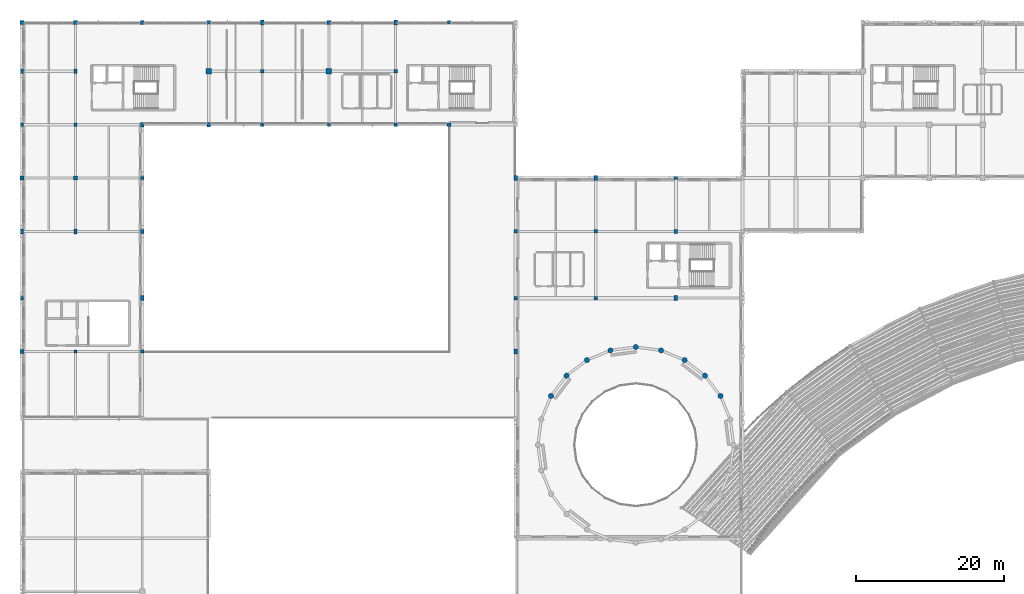
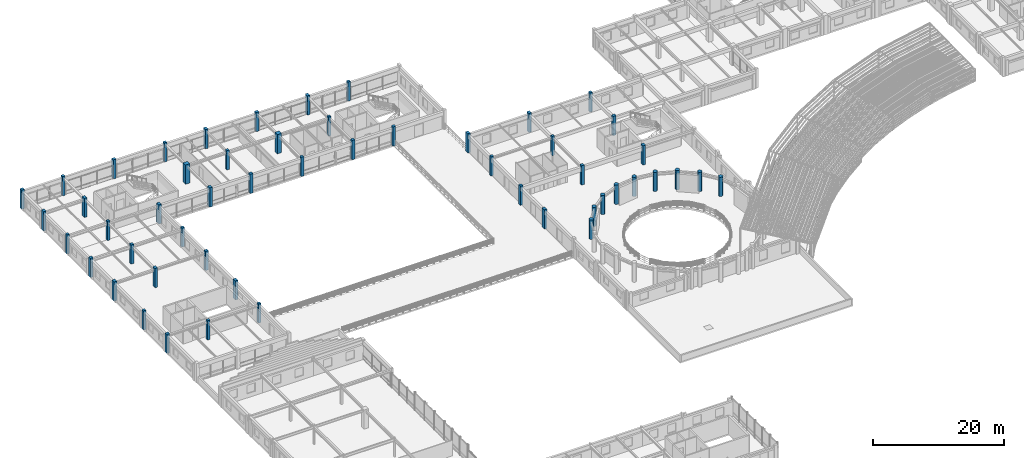
# One storey, part 9 of 74: 52 columns.
"""IFC4 building model written with IfcOpenShell, lengths in metres."""

from ifc_helpers import new_model, si_unit, direction, frame, origin, origin_2d, place, context, subcontext, project, spatial, rectangle, circle, extrude, material, material_profile, profile_set, type_object, element, save


model = new_model("IFC4")

# Units and contexts
model_context = context("Model", 3, precision=1e-05, world=origin(), true_north=direction((0.0, 1.0)))
body_context = subcontext(model_context, "Body", "Model", "MODEL_VIEW")
ifc_project = project(units=[si_unit("LENGTHUNIT", "METRE"), si_unit("AREAUNIT", "SQUARE_METRE"), si_unit("VOLUMEUNIT", "CUBIC_METRE"), si_unit("PLANEANGLEUNIT", "RADIAN"), si_unit("MASSUNIT", "GRAM", prefix="KILO")], contexts=[model_context])

# Site, building, storey
site_placement = place(None, origin())
site = spatial("IfcSite", under=ifc_project, at=site_placement, CompositionType="ELEMENT")
building_placement = place(site_placement, origin())
building = spatial("IfcBuilding", under=site, at=building_placement, Name="Clarverna Civic Hall", CompositionType="ELEMENT")
storey_placement = place(building_placement, frame((0.0, 0.0, 13.199951171875)))
storey = spatial("IfcBuildingStorey", under=building, at=storey_placement, Name="L03", CompositionType="ELEMENT", Elevation=13.199951171875)

# Columns
ifc_material_1 = material(Name="Concrete C35/45", Category="concrete")
ifc_material_profile_1 = material_profile(ifc_material_1, circle(Radius=0.35009765625, at=origin_2d()), Name="RC D700")
ifc_profile_set_1 = profile_set([ifc_material_profile_1], Name="Concrete C35/45")
column_type_1 = type_object("IfcColumnType", Name="C-DR3", PredefinedType="COLUMN", material=ifc_profile_set_1)
for number, where, z_axis, x_axis, name in (
    (1, (94.2314453125, 65.60009765625, 0.0), (0.0, 0.0, 1.0), (1.0, 0.0, 0.0), "C-DR3-003"),
    (2, (92.1337890625, 68.333740234375, 0.0), (0.0, 0.0, 1.0), (1.0, 0.0, 0.0), "C-DR3-004"),
    (3, (89.39990234375, 70.431396484375, 0.0), (0.0, 0.0, 1.0), (1.0, 0.0, 0.0), "C-DR3-005"),
    (4, (86.21630859375, 71.750244140625, 0.0), (0.0, 0.0, 1.0), (1.0, 0.0, 0.0), "C-DR3-006"),
    (5, (82.800048828125, 72.199951171875, 0.0), (0.0, 0.0, 1.0), (1.0, 0.0, 0.0), "C-DR3-007"),
    (6, (79.383544921875, 71.750244140625, 0.0), (0.0, 0.0, 1.0), (1.0, 0.0, 0.0), "C-DR3-008"),
    (7, (76.199951171875, 70.431396484375, 0.0), (0.0, 0.0, 1.0), (1.0, 0.0, 0.0), "C-DR3-009"),
    (8, (73.46630859375, 68.333740234375, 0.0), (0.0, 0.0, 1.0), (1.0, 0.0, 0.0), "C-DR3-010"),
    (9, (71.368408203125, 65.60009765625, 0.0), (0.0, 0.0, 1.0), (1.0, 0.0, 0.0), "C-DR3-011"),
):
    element("IfcColumn", number, at=place(storey_placement, frame(where, z_axis=z_axis, x_axis=x_axis)), inside=storey, type_object=column_type_1, Name=name, PredefinedType="COLUMN", context=body_context, shape_type="SweptSolid", body=[
        extrude(circle(Radius=0.35009765625, at=origin_2d()), origin(), (0.0, 0.0, 1.0), 3.60009765625),
    ])
ifc_material_profile_2 = material_profile(ifc_material_1, rectangle(XDim=0.5, YDim=0.5, at=origin_2d()), Name="RC 500x500")
ifc_profile_set_2 = profile_set([ifc_material_profile_2], Name="Concrete C35/45")
column_type_2 = type_object("IfcColumnType", Name="C-RC12", PredefinedType="COLUMN", material=ifc_profile_set_2)
for number, where, z_axis, x_axis, name in (
    (10, (0.0, 71.60009765625, 0.0), (0.0, 0.0, 1.0), (1.0, 0.0, 0.0), "C-RC12-001"),
    (11, (0.0, 95.0, 0.0), (0.0, 0.0, 1.0), (1.0, 0.0, 0.0), "C-RC12-002"),
    (12, (0.0, 116.0, 0.0), (0.0, 0.0, 1.0), (1.0, 0.0, 0.0), "C-RC12-003"),
    (13, (7.199951171875, 95.0, 0.0), (0.0, 0.0, 1.0), (1.0, 0.0, 0.0), "C-RC12-005"),
    (14, (7.199951171875, 116.0, 0.0), (0.0, 0.0, 1.0), (1.0, 0.0, 0.0), "C-RC12-006"),
    (15, (16.199951171875, 87.800048828125, 0.0), (0.0, 0.0, 1.0), (1.0, 0.0, 0.0), "C-RC12-008"),
    (16, (16.199951171875, 116.0, 0.0), (0.0, 0.0, 1.0), (1.0, 0.0, 0.0), "C-RC12-009"),
    (17, (32.39990234375, 102.199951171875, 0.0), (0.0, 0.0, 1.0), (1.0, 0.0, 0.0), "C-RC12-010"),
    (18, (41.39990234375, 116.0, 0.0), (0.0, 0.0, 1.0), (1.0, 0.0, 0.0), "C-RC12-011"),
    (19, (50.39990234375, 102.199951171875, 0.0), (0.0, 0.0, 1.0), (1.0, 0.0, 0.0), "C-RC12-012"),
    (20, (57.60009765625, 102.199951171875, 0.0), (0.0, 0.0, 1.0), (1.0, 0.0, 0.0), "C-RC12-013"),
    (21, (66.60009765625, 78.800048828125, 0.0), (0.0, 0.0, 1.0), (1.0, 0.0, 0.0), "C-RC12-015"),
    (22, (77.39990234375, 78.800048828125, 0.0), (0.0, 0.0, 1.0), (1.0, 0.0, 0.0), "C-RC12-017"),
    (23, (88.199951171875, 87.800048828125, 0.0), (0.0, 0.0, 1.0), (1.0, 0.0, 0.0), "C-RC12-018"),
):
    element("IfcColumn", number, at=place(storey_placement, frame(where, z_axis=z_axis, x_axis=x_axis)), inside=storey, type_object=column_type_2, Name=name, PredefinedType="COLUMN", context=body_context, shape_type="SweptSolid", body=[
        extrude(rectangle(XDim=0.5, YDim=0.5, at=origin_2d()), origin(), (0.0, 0.0, 1.0), 3.60009765625),
    ])
ifc_material_profile_3 = material_profile(ifc_material_1, rectangle(XDim=0.449951171875, YDim=0.449951171875, at=origin_2d()), Name="RC 450x450")
ifc_profile_set_3 = profile_set([ifc_material_profile_3], Name="Concrete C35/45")
column_type_3 = type_object("IfcColumnType", Name="C-RC13", PredefinedType="COLUMN", material=ifc_profile_set_3)
for number, where, z_axis, x_axis, name in (
    (24, (0.0, 78.800048828125, 0.0), (0.0, 0.0, 1.0), (1.0, 0.0, 0.0), "C-RC13-002"),
    (25, (0.0, 102.199951171875, 0.0), (0.0, 0.0, 1.0), (1.0, 0.0, 0.0), "C-RC13-003"),
    (26, (7.199951171875, 71.60009765625, 0.0), (0.0, 0.0, 1.0), (1.0, 0.0, 0.0), "C-RC13-004"),
    (27, (7.199951171875, 102.199951171875, 0.0), (0.0, 0.0, 1.0), (1.0, 0.0, 0.0), "C-RC13-005"),
    (28, (16.199951171875, 71.60009765625, 0.0), (0.0, 0.0, 1.0), (1.0, 0.0, 0.0), "C-RC13-006"),
    (29, (16.199951171875, 95.0, 0.0), (0.0, 0.0, 1.0), (1.0, 0.0, 0.0), "C-RC13-007"),
    (30, (25.199951171875, 116.0, 0.0), (0.0, 0.0, 1.0), (1.0, 0.0, 0.0), "C-RC13-008"),
    (31, (32.39990234375, 109.39990234375, 0.0), (0.0, 0.0, 1.0), (1.0, 0.0, 0.0), "C-RC13-009"),
    (32, (41.39990234375, 102.199951171875, 0.0), (0.0, 0.0, 1.0), (1.0, 0.0, 0.0), "C-RC13-010"),
    (33, (50.39990234375, 109.39990234375, 0.0), (0.0, 0.0, 1.0), (1.0, 0.0, 0.0), "C-RC13-011"),
    (34, (57.60009765625, 116.0, 0.0), (0.0, 0.0, 1.0), (1.0, 0.0, 0.0), "C-RC13-012"),
    (35, (66.60009765625, 87.800048828125, 0.0), (0.0, 0.0, 1.0), (1.0, 0.0, 0.0), "C-RC13-015"),
    (36, (77.39990234375, 87.800048828125, 0.0), (0.0, 0.0, 1.0), (1.0, 0.0, 0.0), "C-RC13-018"),
    (37, (88.199951171875, 95.0, 0.0), (0.0, 0.0, 1.0), (1.0, 0.0, 0.0), "C-RC13-020"),
):
    element("IfcColumn", number, at=place(storey_placement, frame(where, z_axis=z_axis, x_axis=x_axis)), inside=storey, type_object=column_type_3, Name=name, PredefinedType="COLUMN", context=body_context, shape_type="SweptSolid", body=[
        extrude(rectangle(XDim=0.449951171875, YDim=0.449951171875, at=origin_2d()), origin(), (0.0, 0.0, 1.0), 3.60009765625),
    ])
ifc_material_profile_4 = material_profile(ifc_material_1, rectangle(XDim=0.449951171875, YDim=0.64990234375, at=origin_2d()), Name="RC 450x650")
ifc_profile_set_4 = profile_set([ifc_material_profile_4], Name="Concrete C35/45")
column_type_4 = type_object("IfcColumnType", Name="C-RC18", PredefinedType="COLUMN", material=ifc_profile_set_4)
for number, where, z_axis, x_axis, name in (
    (38, (0.0, 87.800048828125, 0.0), (0.0, 0.0, 1.0), (1.0, 0.0, 0.0), "C-RC18-002"),
    (39, (0.0, 109.39990234375, 0.0), (0.0, 0.0, 1.0), (1.0, 0.0, 0.0), "C-RC18-003"),
    (40, (7.199951171875, 87.800048828125, 0.0), (0.0, 0.0, 1.0), (1.0, 0.0, 0.0), "C-RC18-005"),
    (41, (7.199951171875, 109.39990234375, 0.0), (0.0, 0.0, 1.0), (1.0, 0.0, 0.0), "C-RC18-006"),
    (42, (16.199951171875, 78.800048828125, 0.0), (0.0, 0.0, 1.0), (1.0, 0.0, 0.0), "C-RC18-008"),
    (43, (16.199951171875, 102.199951171875, 0.0), (0.0, 0.0, 1.0), (1.0, 0.0, 0.0), "C-RC18-009"),
    (44, (25.199951171875, 102.199951171875, 0.0), (0.0, 0.0, 1.0), (1.0, 0.0, 0.0), "C-RC18-011"),
    (45, (32.39990234375, 116.0, 0.0), (0.0, 0.0, 1.0), (1.0, 0.0, 0.0), "C-RC18-012"),
    (46, (50.39990234375, 116.0, 0.0), (0.0, 0.0, 1.0), (1.0, 0.0, 0.0), "C-RC18-013"),
    (47, (66.60009765625, 71.60009765625, 0.0), (0.0, 0.0, 1.0), (1.0, 0.0, 0.0), "C-RC18-014"),
    (48, (66.60009765625, 95.0, 0.0), (0.0, 0.0, 1.0), (1.0, 0.0, 0.0), "C-RC18-015"),
    (49, (77.39990234375, 95.0, 0.0), (0.0, 0.0, 1.0), (1.0, 0.0, 0.0), "C-RC18-017"),
    (50, (88.199951171875, 78.800048828125, 0.0), (0.0, 0.0, 1.0), (1.0, 0.0, 0.0), "C-RC18-018"),
):
    element("IfcColumn", number, at=place(storey_placement, frame(where, z_axis=z_axis, x_axis=x_axis)), inside=storey, type_object=column_type_4, Name=name, PredefinedType="COLUMN", context=body_context, shape_type="SweptSolid", body=[
        extrude(rectangle(XDim=0.449951171875, YDim=0.64990234375, at=origin_2d()), origin(), (0.0, 0.0, 1.0), 3.60009765625),
    ])
ifc_material_2 = material(Name="Concrete C40/50", Category="concrete")
ifc_material_profile_5 = material_profile(ifc_material_2, rectangle(XDim=0.75, YDim=0.75, at=origin_2d()), Name="RC 750x750")
ifc_profile_set_5 = profile_set([ifc_material_profile_5], Name="Concrete C40/50")
column_type_5 = type_object("IfcColumnType", Name="C-RC5", PredefinedType="COLUMN", material=ifc_profile_set_5)
for number, where, z_axis, x_axis, name in (
    (51, (25.199951171875, 109.39990234375, 0.0), (0.0, 0.0, 1.0), (1.0, 0.0, 0.0), "C-RC5-021"),
    (52, (41.39990234375, 109.39990234375, 0.0), (0.0, 0.0, 1.0), (1.0, 0.0, 0.0), "C-RC5-029"),
):
    element("IfcColumn", number, at=place(storey_placement, frame(where, z_axis=z_axis, x_axis=x_axis)), inside=storey, type_object=column_type_5, Name=name, PredefinedType="COLUMN", context=body_context, shape_type="SweptSolid", body=[
        extrude(rectangle(XDim=0.75, YDim=0.75, at=origin_2d()), origin(), (0.0, 0.0, 1.0), 3.60009765625),
    ])

save(model, "model.ifc")
